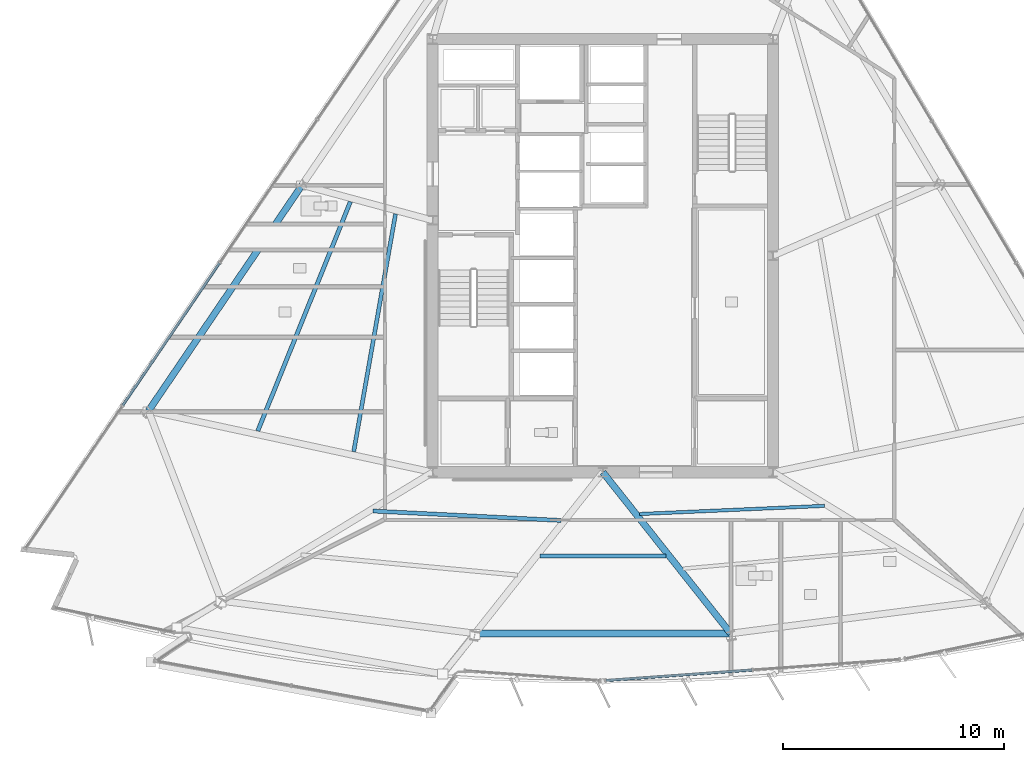
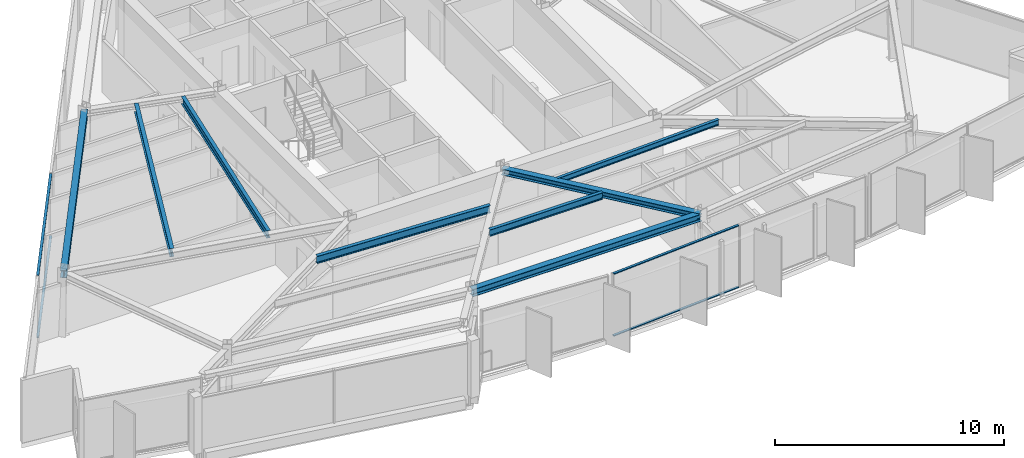
# One storey, part 3 of 14: 8 beams, 4 members, 2 elements without a shape of their own.
"""IFC4 building model written with IfcOpenShell, lengths in metres."""

from ifc_helpers import new_model, si_unit, direction, frame, origin, origin_2d, place, context, subcontext, project, spatial, rectangle, i_section, extrude, material, material_profile, profile_set, type_object, element, aggregate, save


model = new_model("IFC4")

# Units and contexts
model_context = context("Model", 3, precision=1e-05, world=origin(), true_north=direction((0.0, 1.0)))
body_context = subcontext(model_context, "Body", "Model", "MODEL_VIEW")
ifc_project = project(units=[si_unit("LENGTHUNIT", "METRE"), si_unit("AREAUNIT", "SQUARE_METRE"), si_unit("VOLUMEUNIT", "CUBIC_METRE"), si_unit("PLANEANGLEUNIT", "RADIAN"), si_unit("MASSUNIT", "GRAM", prefix="KILO")], contexts=[model_context])

# Site, building, storey
site_placement = place(None, origin())
site = spatial("IfcSite", under=ifc_project, at=site_placement, CompositionType="ELEMENT")
building_placement = place(site_placement, origin())
building = spatial("IfcBuilding", under=site, at=building_placement, Name="Savorim Split Tower", CompositionType="ELEMENT")
storey_placement = place(building_placement, frame((0.0, 0.0, 178.199951171875)))
storey = spatial("IfcBuildingStorey", under=building, at=storey_placement, Name="L47", CompositionType="ELEMENT", Elevation=178.199951171875)

# Beams
ifc_material_1 = material(Name="Steel S355", Category="steel")
ifc_material_profile_1 = material_profile(ifc_material_1, i_section(OverallWidth=0.14990234375, OverallDepth=0.300048828125, WebThickness=0.007080078125, FlangeThickness=0.0107421875, FilletRadius=0.014892578125, at=origin_2d()), Name="IPE 300")
ifc_profile_set_1 = profile_set([ifc_material_profile_1], Name="Steel S355")
beam_type_1 = type_object("IfcBeamType", Name="BM-JST-IPE300", PredefinedType="JOIST", material=ifc_profile_set_1)
beam_1_placement = place(storey_placement, frame((1.664306640625, -11.28955078125, 3.199951171875), z_axis=(0.999028442672, 0.04407006618, 0.0), x_axis=(-0.04407006618, 0.999028442672, 0.0)))
element("IfcBeam", 1, at=beam_1_placement, inside=storey, type_object=beam_type_1, Name="L47 Secondary Floor Joist JS-05", PredefinedType="JOIST", context=body_context, shape_type="SweptSolid", body=[
    extrude(i_section(OverallWidth=0.14990234375, OverallDepth=0.300048828125, WebThickness=0.007080078125, FlangeThickness=0.0107421875, FilletRadius=0.014892578125, at=origin_2d()), origin(), (0.0, 0.0, 1.0), 8.37060546875),
])
ifc_material_profile_2 = material_profile(ifc_material_1, i_section(OverallWidth=0.169921875, OverallDepth=0.360107421875, WebThickness=0.008056640625, FlangeThickness=0.0126953125, FilletRadius=0.01806640625, at=origin_2d()), Name="IPE 360")
ifc_profile_set_2 = profile_set([ifc_material_profile_2], Name="Steel S355")
beam_type_2 = type_object("IfcBeamType", Name="BM-JST-IPE360", PredefinedType="JOIST", material=ifc_profile_set_2)
beam_2_placement = place(storey_placement, frame((-2.848876953125, -13.193359375, 3.170166015625), z_axis=(1.0, 0.0, 0.0), x_axis=(0.0, 1.0, 0.0)))
element("IfcBeam", 2, at=beam_2_placement, inside=storey, type_object=beam_type_2, Name="L47 Secondary Floor Joist JS-03", PredefinedType="JOIST", context=body_context, shape_type="SweptSolid", body=[
    extrude(i_section(OverallWidth=0.169921875, OverallDepth=0.360107421875, WebThickness=0.008056640625, FlangeThickness=0.0126953125, FilletRadius=0.01806640625, at=origin_2d()), origin(), (0.0, 0.0, 1.0), 5.69775390625),
])
ifc_material_profile_3 = material_profile(ifc_material_1, i_section(OverallWidth=0.179931640625, OverallDepth=0.39990234375, WebThickness=0.008544921875, FlangeThickness=0.013427734375, FilletRadius=0.02099609375, at=origin_2d()), Name="IPE 400")
ifc_profile_set_3 = profile_set([ifc_material_profile_3], Name="Steel S355")
beam_type_3 = type_object("IfcBeamType", Name="BM-JST-IPE400", PredefinedType="JOIST", material=ifc_profile_set_3)
beam_3_placement = place(storey_placement, frame((-10.409423828125, -11.154296875, 3.150146484375), z_axis=(0.998748908244, -0.050006182433, 0.0), x_axis=(0.050006182433, 0.998748908244, 0.0)))
element("IfcBeam", 3, at=beam_3_placement, inside=storey, type_object=beam_type_3, Name="L47 Secondary Floor Joist JS-02", PredefinedType="JOIST", context=body_context, shape_type="SweptSolid", body=[
    extrude(i_section(OverallWidth=0.179931640625, OverallDepth=0.39990234375, WebThickness=0.008544921875, FlangeThickness=0.013427734375, FilletRadius=0.02099609375, at=origin_2d()), origin(), (0.0, 0.0, 1.0), 8.5244140625),
])
beam_4_placement = place(storey_placement, frame((-9.383544921875, 2.289306640625, 3.150146484375), z_axis=(-0.173210064672, -0.98488490368, 0.0), x_axis=(0.98488490368, -0.173210064672, 0.0)))
element("IfcBeam", 4, at=beam_4_placement, inside=storey, type_object=beam_type_3, Name="L47 Secondary Floor Joist JS-11", PredefinedType="JOIST", context=body_context, shape_type="SweptSolid", body=[
    extrude(i_section(OverallWidth=0.179931640625, OverallDepth=0.39990234375, WebThickness=0.008544921875, FlangeThickness=0.013427734375, FilletRadius=0.02099609375, at=origin_2d()), origin(), (0.0, 0.0, 1.0), 10.91943359375),
])
ifc_material_profile_4 = material_profile(ifc_material_1, i_section(OverallWidth=0.18994140625, OverallDepth=0.449951171875, WebThickness=0.009521484375, FlangeThickness=0.0146484375, FilletRadius=0.02099609375, at=origin_2d()), Name="IPE 450")
ifc_profile_set_4 = profile_set([ifc_material_profile_4], Name="Steel S355")
beam_type_4 = type_object("IfcBeamType", Name="BM-JST-IPE450", PredefinedType="JOIST", material=ifc_profile_set_4)
beam_5_placement = place(storey_placement, frame((-11.42626953125, 2.841552734375, 3.125), z_axis=(-0.374631917945, -0.927173622391, 0.0), x_axis=(0.927173622391, -0.374631917945, 0.0)))
element("IfcBeam", 5, at=beam_5_placement, inside=storey, type_object=beam_type_4, Name="L47 Secondary Floor Joist JS-10", PredefinedType="JOIST", context=body_context, shape_type="SweptSolid", body=[
    extrude(i_section(OverallWidth=0.18994140625, OverallDepth=0.449951171875, WebThickness=0.009521484375, FlangeThickness=0.0146484375, FilletRadius=0.02099609375, at=origin_2d()), origin(), (0.0, 0.0, 1.0), 11.186767578125),
])
ifc_material_profile_5 = material_profile(ifc_material_1, i_section(OverallWidth=0.300048828125, OverallDepth=0.320068359375, WebThickness=0.011474609375, FlangeThickness=0.0205078125, FilletRadius=0.027099609375, at=origin_2d()), Name="HEB 320")
ifc_profile_set_5 = profile_set([ifc_material_profile_5], Name="Steel S355")
beam_type_5 = type_object("IfcBeamType", Name="BM-PRI-HEB320", PredefinedType="BEAM", material=ifc_profile_set_5)
beam_6_placement = place(storey_placement, frame((5.7861328125, -16.695068359375, 3.18994140625), z_axis=(-0.62141524664, 0.783481391766, 0.0), x_axis=(-0.783481391766, -0.62141524664, 0.0)))
element("IfcBeam", 6, at=beam_6_placement, inside=storey, type_object=beam_type_5, Name="L47 Primary Floor Girder RG-03", PredefinedType="BEAM", context=body_context, shape_type="SweptSolid", body=[
    extrude(i_section(OverallWidth=0.300048828125, OverallDepth=0.320068359375, WebThickness=0.011474609375, FlangeThickness=0.0205078125, FilletRadius=0.027099609375, at=origin_2d()), origin(), (0.0, 0.0, 1.0), 9.311279296875),
])
ifc_material_profile_6 = material_profile(ifc_material_1, i_section(OverallWidth=0.300048828125, OverallDepth=0.389892578125, WebThickness=0.010986328125, FlangeThickness=0.01904296875, FilletRadius=0.027099609375, at=origin_2d()), Name="HEA 400")
ifc_profile_set_6 = profile_set([ifc_material_profile_6], Name="Steel S355")
beam_type_6 = type_object("IfcBeamType", Name="BM-SPN-HEA400", PredefinedType="SPANDREL", material=ifc_profile_set_6)
beam_7_placement = place(storey_placement, frame((-5.7861328125, -16.695068359375, 3.155029296875), z_axis=(1.0, 0.0, 0.0), x_axis=(0.0, 1.0, 0.0)))
element("IfcBeam", 7, at=beam_7_placement, inside=storey, type_object=beam_type_6, Name="L47 Perimeter Spandrel Beam 2", PredefinedType="SPANDREL", context=body_context, shape_type="SweptSolid", body=[
    extrude(i_section(OverallWidth=0.300048828125, OverallDepth=0.389892578125, WebThickness=0.010986328125, FlangeThickness=0.01904296875, FilletRadius=0.027099609375, at=origin_2d()), origin(), (0.0, 0.0, 1.0), 11.572265625),
])
beam_8_placement = place(storey_placement, frame((-13.613525390625, 3.5966796875, 3.155029296875), z_axis=(-0.562460735487, -0.826823996408, 0.0), x_axis=(0.826823996408, -0.562460735487, 0.0)))
element("IfcBeam", 8, at=beam_8_placement, inside=storey, type_object=beam_type_6, Name="L47 Perimeter Spandrel Beam 9", PredefinedType="SPANDREL", context=body_context, shape_type="SweptSolid", body=[
    extrude(i_section(OverallWidth=0.300048828125, OverallDepth=0.389892578125, WebThickness=0.010986328125, FlangeThickness=0.01904296875, FilletRadius=0.027099609375, at=origin_2d()), origin(), (0.0, 0.0, 1.0), 12.361083984375),
])

# Curtain wall, members
ifc_material_2 = material(Name="Dark Ceramic-Fritted Insulated Glass", Category="glass")
curtain_wall_type = type_object("IfcCurtainWallType", Name="CW-TWR-FRIT-B", PredefinedType="NOTDEFINED", material=ifc_material_2)
curtain_wall_1_placement = place(storey_placement, origin())
curtain_wall_1 = element("IfcCurtainWall", 9, at=curtain_wall_1_placement, inside=storey, type_object=curtain_wall_type, Name="L47 Curtain Wall CW-L47-SF3A", PredefinedType="NOTDEFINED")
ifc_material_3 = material(Name="Charcoal Anodised Aluminium", Category="aluminium")
ifc_material_profile_7 = material_profile(ifc_material_3, rectangle(XDim=0.1201171875, YDim=0.050048828125, at=origin_2d()), Name="ALU-T 120x50")
ifc_profile_set_7 = profile_set([ifc_material_profile_7], Name="Charcoal Anodised Aluminium")
member_type = type_object("IfcMemberType", Name="CWT-120x50", PredefinedType="USERDEFINED", material=ifc_profile_set_7)
member_1_placement = place(storey_placement, frame((0.151123046875, -18.82080078125, 0.025146484375), z_axis=(0.997436913566, 0.071551404297, 0.0), x_axis=(-0.071551404297, 0.997436913566, 0.0)))
member_1 = element("IfcMember", 10, at=member_1_placement, type_object=member_type, Name="CW-03 transom 1.1", ObjectType="TRANSOM", PredefinedType="USERDEFINED", context=body_context, shape_type="SweptSolid", body=[
    extrude(rectangle(XDim=0.1201171875, YDim=0.050048828125, at=origin_2d()), origin(), (0.0, 0.0, 1.0), 6.612548828125),
])
member_2_placement = place(storey_placement, frame((0.151123046875, -18.82080078125, 3.324951171875), z_axis=(0.997436913566, 0.071551404297, 0.0), x_axis=(-0.071551404297, 0.997436913566, 0.0)))
member_2 = element("IfcMember", 11, at=member_2_placement, type_object=member_type, Name="CW-03 transom 1.2", ObjectType="TRANSOM", PredefinedType="USERDEFINED", context=body_context, shape_type="SweptSolid", body=[
    extrude(rectangle(XDim=0.1201171875, YDim=0.050048828125, at=origin_2d()), origin(), (0.0, 0.0, 1.0), 6.612548828125),
])
aggregate(curtain_wall_1, [member_1, member_2])

curtain_wall_2_placement = place(storey_placement, origin())
curtain_wall_2 = element("IfcCurtainWall", 12, at=curtain_wall_2_placement, inside=storey, type_object=curtain_wall_type, Name="L47 Curtain Wall CW-L47-WEST", PredefinedType="NOTDEFINED")
member_3_placement = place(storey_placement, frame((-17.35302734375, 0.064697265625, 0.025146484375), z_axis=(-0.562475680235, -0.826813829798, 0.0), x_axis=(0.826813829798, -0.562475680235, 0.0)))
member_3 = element("IfcMember", 13, at=member_3_placement, type_object=member_type, Name="CW-03 transom 3.1", ObjectType="TRANSOM", PredefinedType="USERDEFINED", context=body_context, shape_type="SweptSolid", body=[
    extrude(rectangle(XDim=0.1201171875, YDim=0.050048828125, at=origin_2d()), origin(), (0.0, 0.0, 1.0), 7.779296875),
])
member_4_placement = place(storey_placement, frame((-17.35302734375, 0.064697265625, 3.324951171875), z_axis=(-0.562475680235, -0.826813829798, 0.0), x_axis=(0.826813829798, -0.562475680235, 0.0)))
member_4 = element("IfcMember", 14, at=member_4_placement, type_object=member_type, Name="CW-03 transom 3.2", ObjectType="TRANSOM", PredefinedType="USERDEFINED", context=body_context, shape_type="SweptSolid", body=[
    extrude(rectangle(XDim=0.1201171875, YDim=0.050048828125, at=origin_2d()), origin(), (0.0, 0.0, 1.0), 7.779296875),
])
aggregate(curtain_wall_2, [member_3, member_4])

save(model, "model.ifc")
